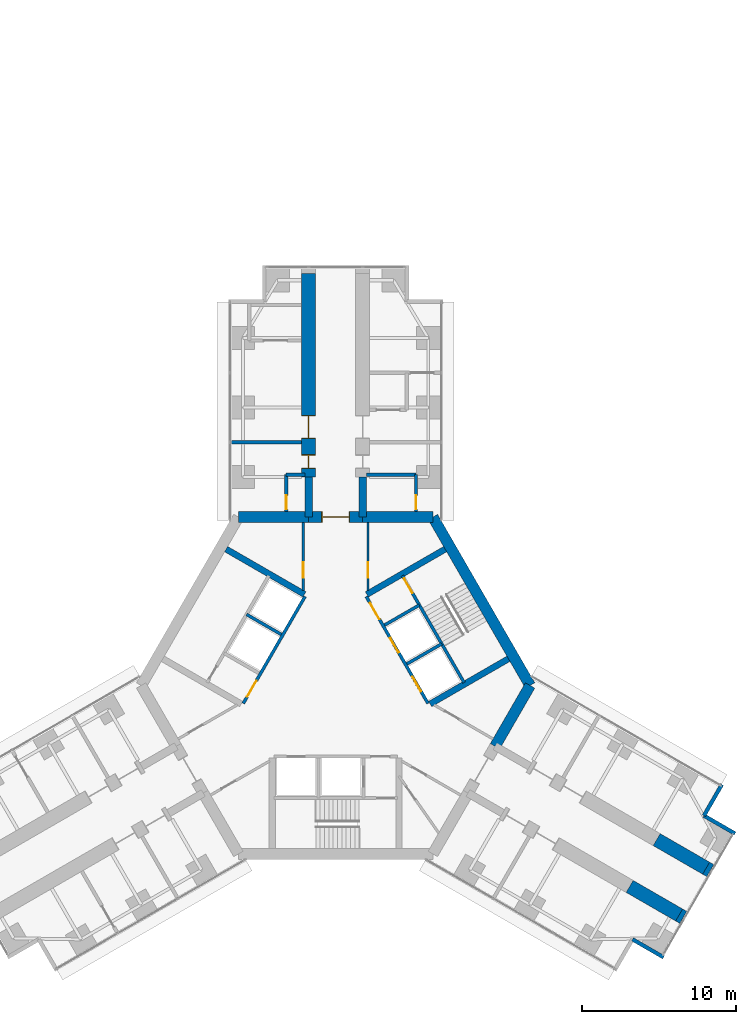
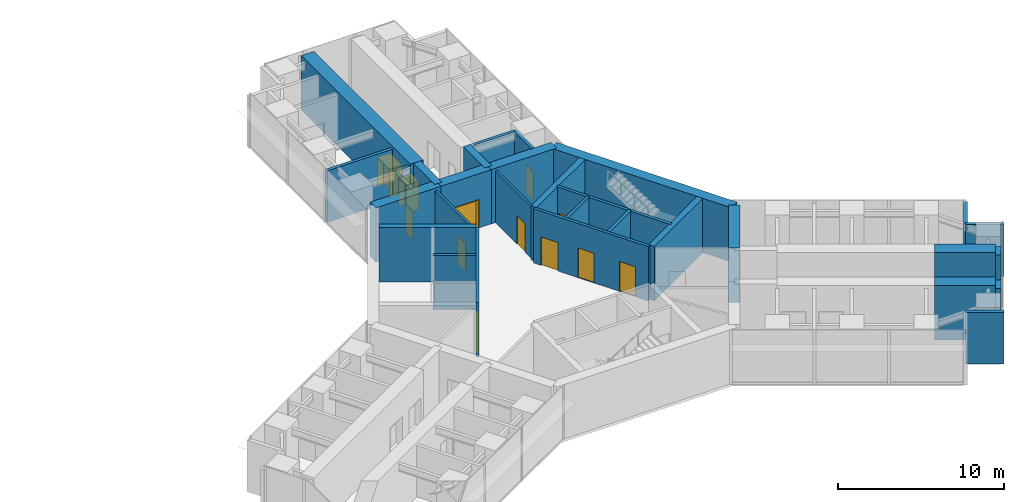
# One storey, part 20 of 22: 31 walls, 12 doors, 12 openings.
"""IFC4 building model written with IfcOpenShell, lengths in metres."""

from ifc_helpers import new_model, si_unit, direction, frame, frame_2d, origin, place, context, subcontext, project, spatial, rectangle, extrude, material, layer, layer_set, type_object, element, fill, save


model = new_model("IFC4")

# Units and contexts
model_context = context("Model", 3, precision=1e-05, world=origin(), true_north=direction((0.0, 1.0)))
body_context = subcontext(model_context, "Body", "Model", "MODEL_VIEW")
ifc_project = project(units=[si_unit("LENGTHUNIT", "METRE"), si_unit("AREAUNIT", "SQUARE_METRE"), si_unit("VOLUMEUNIT", "CUBIC_METRE"), si_unit("PLANEANGLEUNIT", "RADIAN"), si_unit("MASSUNIT", "GRAM", prefix="KILO")], contexts=[model_context])

# Site, building, storey
site_placement = place(None, origin())
site = spatial("IfcSite", under=ifc_project, at=site_placement, CompositionType="ELEMENT")
building_placement = place(site_placement, origin())
building = spatial("IfcBuilding", under=site, at=building_placement, Name="Upepo Twin Towers", CompositionType="ELEMENT")
storey_placement = place(building_placement, frame((0.0, 0.0, 36.5)))
storey = spatial("IfcBuildingStorey", under=building, at=storey_placement, Name="L08", CompositionType="ELEMENT", Elevation=36.5)

# Wall
ifc_material_1 = material(Name="Concrete blockwork, plastered both faces", Category="masonry")
ifc_layer_1 = layer(ifc_material_1, 0.215087890625)
ifc_layer_set_1 = layer_set([ifc_layer_1], Name="Blockwork partition 215")
wall_type_1 = type_object("IfcWallType", Name="Blockwork partition 215", PredefinedType="PARTITIONING", material=ifc_layer_set_1)
wall_1_placement = place(storey_placement, frame((56.300048828125, -2.25, 0.0), z_axis=(0.0, 0.0, 1.0), x_axis=(-1.0, 0.0, 0.0)))
element("IfcWall", 1, at=wall_1_placement, inside=storey, type_object=wall_type_1, Name="T2 partition AL at 15.75", PredefinedType="PARTITIONING", context=body_context, shape_type="SweptSolid", body=[
    extrude(rectangle(XDim=4.550048828125, YDim=0.215087890625, at=frame_2d((2.27490234375, 0.0))), origin(), (0.0, 0.0, 1.0), 3.800048828125),
])

# Wall, opening, door
wall_2_placement = place(storey_placement, frame((55.300048828125, -6.741943359375, 0.0), z_axis=(0.0, 0.0, 1.0), x_axis=(0.0, 1.0, 0.0)))
wall_2 = element("IfcWall", 2, at=wall_2_placement, inside=storey, type_object=wall_type_1, Name="T2 WC bay partition AL at 11.26", PredefinedType="PARTITIONING", context=body_context, shape_type="SweptSolid", body=[
    extrude(rectangle(XDim=2.39990234375, YDim=0.215087890625, at=frame_2d((1.199951171875, 0.0))), origin(), (0.0, 0.0, 1.0), 3.800048828125),
])
opening_1_placement = place(wall_2_placement, frame((0.14990234375, 0.0, 0.0)))
opening_1 = element("IfcOpeningElement", 3, at=opening_1_placement, cuts=wall_2, Name="Opening D14", PredefinedType="OPENING", context=body_context, shape_type="SweptSolid", body=[
    extrude(rectangle(XDim=0.89990234375, YDim=2.10009765625, at=frame_2d((0.449951171875, 1.050048828125))), frame((0.0, 0.117431640625, 0.0), z_axis=(0.0, -1.0, 0.0), x_axis=(1.0, 0.0, 0.0)), (0.0, 0.0, 1.0), 0.235107421875),
])
ifc_material_2 = material(Name="Timber doorset", Category="wood")
door_type_1 = type_object("IfcDoorType", Name="Office door 900 FD30", OperationType="SINGLE_SWING_LEFT", PredefinedType="DOOR", material=ifc_material_2)
door_1_placement = place(opening_1_placement, origin())
door_1 = element("IfcDoor", 4, at=door_1_placement, inside=storey, type_object=door_type_1, Name="T2 L08 WC bay inner room door", OperationType="SINGLE_SWING_LEFT", OverallHeight=2.10009765625, OverallWidth=0.89990234375, PredefinedType="DOOR", context=body_context, shape_type="SweptSolid", body=[
    extrude(rectangle(XDim=0.89990234375, YDim=2.10009765625, at=frame_2d((0.449951171875, 1.050048828125))), frame((0.0, 0.02490234375, 0.0), z_axis=(0.0, -1.0, 0.0), x_axis=(1.0, 0.0, 0.0)), (0.0, 0.0, 1.0), 0.050048828125),
])
fill(opening_1, door_1)

# Wall
wall_3_placement = place(storey_placement, frame((56.5, -4.342041015625, 0.0), z_axis=(0.0, 0.0, 1.0), x_axis=(-1.0, 0.0, 0.0)))
element("IfcWall", 5, at=wall_3_placement, inside=storey, type_object=wall_type_1, Name="T2 WC bay partition AL end at 13.66", PredefinedType="PARTITIONING", context=body_context, shape_type="SweptSolid", body=[
    extrude(rectangle(XDim=1.199951171875, YDim=0.215087890625, at=frame_2d((0.60009765625, 0.0))), origin(), (0.0, 0.0, 1.0), 3.800048828125),
])

# Wall, opening, door
wall_4_placement = place(storey_placement, frame((63.699951171875, -6.741943359375, 0.0), z_axis=(0.0, 0.0, 1.0), x_axis=(0.0, 1.0, 0.0)))
wall_4 = element("IfcWall", 6, at=wall_4_placement, inside=storey, type_object=wall_type_1, Name="T2 WC bay partition AR at 11.26", PredefinedType="PARTITIONING", context=body_context, shape_type="SweptSolid", body=[
    extrude(rectangle(XDim=2.39990234375, YDim=0.215087890625, at=frame_2d((1.199951171875, 0.0))), origin(), (0.0, 0.0, 1.0), 3.800048828125),
])
opening_2_placement = place(wall_4_placement, frame((0.14990234375, 0.0, 0.0)))
opening_2 = element("IfcOpeningElement", 7, at=opening_2_placement, cuts=wall_4, Name="Opening D14", PredefinedType="OPENING", context=body_context, shape_type="SweptSolid", body=[
    extrude(rectangle(XDim=0.89990234375, YDim=2.10009765625, at=frame_2d((0.449951171875, 1.050048828125))), frame((0.0, 0.117431640625, 0.0), z_axis=(0.0, -1.0, 0.0), x_axis=(1.0, 0.0, 0.0)), (0.0, 0.0, 1.0), 0.235107421875),
])
door_2_placement = place(opening_2_placement, origin())
door_2 = element("IfcDoor", 8, at=door_2_placement, inside=storey, type_object=door_type_1, Name="T2 L08 WC bay inner room door", OperationType="SINGLE_SWING_LEFT", OverallHeight=2.10009765625, OverallWidth=0.89990234375, PredefinedType="DOOR", context=body_context, shape_type="SweptSolid", body=[
    extrude(rectangle(XDim=0.89990234375, YDim=2.10009765625, at=frame_2d((0.449951171875, 1.050048828125))), frame((0.0, 0.02490234375, 0.0), z_axis=(0.0, -1.0, 0.0), x_axis=(1.0, 0.0, 0.0)), (0.0, 0.0, 1.0), 0.050048828125),
])
fill(opening_2, door_2)

# Walls
wall_5_placement = place(storey_placement, frame((60.5, -4.342041015625, 0.0), z_axis=(0.0, 0.0, 1.0), x_axis=(1.0, 0.0, 0.0)))
element("IfcWall", 9, at=wall_5_placement, inside=storey, type_object=wall_type_1, Name="T2 WC bay partition AR end at 13.66", PredefinedType="PARTITIONING", context=body_context, shape_type="SweptSolid", body=[
    extrude(rectangle(XDim=3.199951171875, YDim=0.215087890625, at=frame_2d((1.60009765625, 0.0))), origin(), (0.0, 0.0, 1.0), 3.800048828125),
])
ifc_material_3 = material(Name="Dense concrete blockwork", Category="masonry")
ifc_layer_2 = layer(ifc_material_3, 0.89990234375)
ifc_layer_set_2 = layer_set([ifc_layer_2], Name="Buttress closer 900, blockwork with fire-stopping to the curtain wall")
wall_type_2 = type_object("IfcWallType", Name="Buttress closer 900, blockwork with fire-stopping to the curtain wall", PredefinedType="PARTITIONING", material=ifc_layer_set_2)
for number, where, z_axis, x_axis, name in (
    (10, (82.497802734375, -29.83447265625, 0.0), (0.0, 0.0, 1.0), (0.866054481515, -0.499949632511, 0.0), "T2 L08 wing C buttress closer L"),
    (11, (80.747802734375, -32.865478515625, 0.0), (0.0, 0.0, 1.0), (0.866054481515, -0.499949632511, 0.0), "T2 L08 wing C buttress closer R"),
):
    element("IfcWall", number, at=place(storey_placement, frame(where, z_axis=z_axis, x_axis=x_axis)), inside=storey, type_object=wall_type_2, Name=name, PredefinedType="PARTITIONING", context=body_context, shape_type="SweptSolid", body=[
        extrude(rectangle(XDim=0.31005859375, YDim=0.89990234375, at=frame_2d((0.155029296875, 0.0))), origin(), (0.0, 0.0, 1.0), 3.800048828125),
    ])
ifc_material_4 = material(Name="Concrete C60/75", Category="concrete")
ifc_layer_3 = layer(ifc_material_4, 0.5)
ifc_layer_set_3 = layer_set([ifc_layer_3], Name="Concrete C60/75")
wall_type_3 = type_object("IfcWallType", Name="Buttress wall 500 RC", PredefinedType="SHEAR", material=ifc_layer_set_3)
for number, where, z_axis, x_axis, name in (
    (12, (56.75, -7.091552734375, 0.0), (0.0, 0.0, 1.0), (0.0, 1.0, 0.0), "T2 wing A buttress wall L"),
    (13, (60.25, -7.091552734375, 0.0), (0.0, 0.0, 1.0), (0.0, 1.0, 0.0), "T2 wing A buttress wall R"),
):
    element("IfcWall", number, at=place(storey_placement, frame(where, z_axis=z_axis, x_axis=x_axis)), inside=storey, type_object=wall_type_3, Name=name, PredefinedType="SHEAR", context=body_context, shape_type="SweptSolid", body=[
        extrude(rectangle(XDim=2.591552734375, YDim=0.5, at=frame_2d((1.2958984375, 0.0))), origin(), (0.0, 0.0, 1.0), 4.0),
    ])

# Wall, openings, doors
ifc_material_5 = material(Name="Concrete C60/75", Category="concrete")
ifc_layer_4 = layer(ifc_material_5, 0.89990234375)
ifc_layer_set_4 = layer_set([ifc_layer_4], Name="Concrete C60/75")
wall_type_4 = type_object("IfcWallType", Name="Buttress wall 900 RC", PredefinedType="SHEAR", material=ifc_layer_set_4)
wall_6_placement = place(storey_placement, frame((56.75, -4.5, 0.0), z_axis=(0.0, 0.0, 1.0), x_axis=(0.0, 1.0, 0.0)))
wall_6 = element("IfcWall", 14, at=wall_6_placement, inside=storey, type_object=wall_type_4, Name="T2 wing A buttress wall L part 2", PredefinedType="SHEAR", context=body_context, shape_type="SweptSolid", body=[
    extrude(rectangle(XDim=13.199951171875, YDim=0.89990234375, at=frame_2d((6.60009765625, 0.0))), origin(), (0.0, 0.0, 1.0), 4.0),
])
opening_3_placement = place(wall_6_placement, frame((0.550048828125, 0.0, 0.0)))
opening_3 = element("IfcOpeningElement", 15, at=opening_3_placement, cuts=wall_6, Name="Opening D11", PredefinedType="OPENING", context=body_context, shape_type="SweptSolid", body=[
    extrude(rectangle(XDim=0.89990234375, YDim=2.10009765625, at=frame_2d((0.449951171875, 1.050048828125))), frame((0.0, 0.4599609375, 0.0), z_axis=(0.0, -1.0, 0.0), x_axis=(1.0, 0.0, 0.0)), (0.0, 0.0, 1.0), 0.919921875),
])
opening_4_placement = place(wall_6_placement, frame((2.5, 0.0, 0.0)))
opening_4 = element("IfcOpeningElement", 16, at=opening_4_placement, cuts=wall_6, Name="Opening D13", PredefinedType="OPENING", context=body_context, shape_type="SweptSolid", body=[
    extrude(rectangle(XDim=1.5, YDim=2.10009765625, at=frame_2d((0.75, 1.050048828125))), frame((0.0, 0.4599609375, 0.0), z_axis=(0.0, -1.0, 0.0), x_axis=(1.0, 0.0, 0.0)), (0.0, 0.0, 1.0), 0.919921875),
])
ifc_material_6 = material(Name="Timber doorset", Category="wood")
door_type_2 = type_object("IfcDoorType", Name="Double door 1500 FD30", OperationType="DOUBLE_DOOR_SINGLE_SWING", PredefinedType="DOOR", material=ifc_material_6)
door_3_placement = place(opening_4_placement, origin())
door_3 = element("IfcDoor", 17, at=door_3_placement, inside=storey, type_object=door_type_2, Name="T2 L08 lecture room door", OperationType="DOUBLE_DOOR_SINGLE_SWING", OverallHeight=2.10009765625, OverallWidth=1.5, PredefinedType="DOOR", context=body_context, shape_type="SweptSolid", body=[
    extrude(rectangle(XDim=1.42, YDim=2.06009765625, at=frame_2d((0.75, 1.030029296875))), frame((0.0, 0.02490234375, 0.0), z_axis=(0.0, -1.0, 0.0), x_axis=(1.0, 0.0, 0.0)), (0.0, 0.0, 1.0), 0.050048828125),
    extrude(rectangle(XDim=0.04, YDim=2.10009765625, at=frame_2d((0.02001953125, 1.050048828125))), frame((0.0, 0.44970703125, 0.0), z_axis=(0.0, -1.0, 0.0), x_axis=(1.0, 0.0, 0.0)), (0.0, 0.0, 1.0), 0.8994140625),
    extrude(rectangle(XDim=0.04, YDim=2.10009765625, at=frame_2d((1.47998046875, 1.050048828125))), frame((0.0, 0.44970703125, 0.0), z_axis=(0.0, -1.0, 0.0), x_axis=(1.0, 0.0, 0.0)), (0.0, 0.0, 1.0), 0.8994140625),
    extrude(rectangle(XDim=1.42, YDim=0.04, at=frame_2d((0.75, 2.080078125))), frame((0.0, 0.44970703125, 0.0), z_axis=(0.0, -1.0, 0.0), x_axis=(1.0, 0.0, 0.0)), (0.0, 0.0, 1.0), 0.8994140625),
])
fill(opening_4, door_3)
ifc_material_7 = material(Name="Timber doorset", Category="wood")
door_type_3 = type_object("IfcDoorType", Name="Toilet door 900", OperationType="SINGLE_SWING_LEFT", PredefinedType="DOOR", material=ifc_material_7)
door_4_placement = place(opening_3_placement, origin())
door_4 = element("IfcDoor", 18, at=door_4_placement, inside=storey, type_object=door_type_3, Name="T2 L08 toilets door", OperationType="SINGLE_SWING_LEFT", OverallHeight=2.10009765625, OverallWidth=0.89990234375, PredefinedType="DOOR", context=body_context, shape_type="SweptSolid", body=[
    extrude(rectangle(XDim=0.81990234375, YDim=2.06009765625, at=frame_2d((0.449951171875, 1.030029296875))), frame((0.0, 0.02490234375, 0.0), z_axis=(0.0, -1.0, 0.0), x_axis=(1.0, 0.0, 0.0)), (0.0, 0.0, 1.0), 0.050048828125),
    extrude(rectangle(XDim=0.04, YDim=2.10009765625, at=frame_2d((0.02001953125, 1.050048828125))), frame((0.0, 0.44970703125, 0.0), z_axis=(0.0, -1.0, 0.0), x_axis=(1.0, 0.0, 0.0)), (0.0, 0.0, 1.0), 0.8994140625),
    extrude(rectangle(XDim=0.04, YDim=2.10009765625, at=frame_2d((0.8798828125, 1.050048828125))), frame((0.0, 0.44970703125, 0.0), z_axis=(0.0, -1.0, 0.0), x_axis=(1.0, 0.0, 0.0)), (0.0, 0.0, 1.0), 0.8994140625),
    extrude(rectangle(XDim=0.81990234375, YDim=0.04, at=frame_2d((0.449951171875, 2.080078125))), frame((0.0, 0.44970703125, 0.0), z_axis=(0.0, -1.0, 0.0), x_axis=(1.0, 0.0, 0.0)), (0.0, 0.0, 1.0), 0.8994140625),
])
fill(opening_3, door_4)

# Walls
wall_7_placement = place(storey_placement, frame((79.293701171875, -27.984375, 0.0), z_axis=(0.0, 0.0, 1.0), x_axis=(0.866000971088, -0.500042316284, 0.0)))
element("IfcWall", 19, at=wall_7_placement, inside=storey, type_object=wall_type_4, Name="T2 wing C buttress wall L part 3", PredefinedType="SHEAR", context=body_context, shape_type="SweptSolid", body=[
    extrude(rectangle(XDim=3.699951171875, YDim=0.89990234375, at=frame_2d((1.85009765625, 0.0))), origin(), (0.0, 0.0, 1.0), 4.0),
])
wall_8_placement = place(storey_placement, frame((77.543701171875, -31.015625, 0.0), z_axis=(0.0, 0.0, 1.0), x_axis=(0.866029545028, -0.499992827086, 0.0)))
element("IfcWall", 20, at=wall_8_placement, inside=storey, type_object=wall_type_4, Name="T2 wing C buttress wall R part 3", PredefinedType="SHEAR", context=body_context, shape_type="SweptSolid", body=[
    extrude(rectangle(XDim=3.69970703125, YDim=0.89990234375, at=frame_2d((1.849853515625, 0.0))), origin(), (0.0, 0.0, 1.0), 4.0),
])
ifc_material_8 = material(Name="Concrete C60/75", Category="concrete")
ifc_layer_5 = layer(ifc_material_8, 0.699951171875)
ifc_layer_set_5 = layer_set([ifc_layer_5], Name="Concrete C60/75")
wall_type_5 = type_object("IfcWallType", Name="Core wall 700 RC", PredefinedType="SHEAR", material=ifc_layer_set_5)
wall_9_placement = place(storey_placement, frame((64.7978515625, -7.091552734375, 0.0), z_axis=(0.0, 0.0, 1.0), x_axis=(-1.0, 0.0, 0.0)))
element("IfcWall", 21, at=wall_9_placement, inside=storey, type_object=wall_type_5, Name="T2 core wall 000 R", PredefinedType="SHEAR", context=body_context, shape_type="SweptSolid", body=[
    extrude(rectangle(XDim=4.5478515625, YDim=0.699951171875, at=frame_2d((2.27392578125, 0.0))), origin(), (0.0, 0.0, 1.0), 4.0),
])

# Wall, opening, door
wall_10_placement = place(storey_placement, frame((60.25, -7.091552734375, 0.0), z_axis=(0.0, 0.0, 1.0), x_axis=(-1.0, 0.0, 0.0)))
wall_10 = element("IfcWall", 22, at=wall_10_placement, inside=storey, type_object=wall_type_5, Name="T2 core wall 000", PredefinedType="SHEAR", context=body_context, shape_type="SweptSolid", body=[
    extrude(rectangle(XDim=3.5, YDim=0.699951171875, at=frame_2d((1.75, 0.0))), origin(), (0.0, 0.0, 1.0), 4.0),
])
opening_5_placement = place(wall_10_placement, frame((0.85009765625, 0.0, 0.0)))
opening_5 = element("IfcOpeningElement", 23, at=opening_5_placement, cuts=wall_10, Name="Opening D2", PredefinedType="OPENING", context=body_context, shape_type="SweptSolid", body=[
    extrude(rectangle(XDim=1.800048828125, YDim=2.10009765625, at=frame_2d((0.89990234375, 1.050048828125))), frame((0.0, 0.35986328125, 0.0), z_axis=(0.0, -1.0, 0.0), x_axis=(1.0, 0.0, 0.0)), (0.0, 0.0, 1.0), 0.719970703125),
])
ifc_material_9 = material(Name="Timber doorset", Category="wood")
door_type_4 = type_object("IfcDoorType", Name="Corridor double door 1800 FD60", OperationType="DOUBLE_DOOR_DOUBLE_SWING", PredefinedType="DOOR", material=ifc_material_9)
door_5_placement = place(opening_5_placement, origin())
door_5 = element("IfcDoor", 24, at=door_5_placement, inside=storey, type_object=door_type_4, Name="T2 L08 wing A corridor door", OperationType="DOUBLE_DOOR_DOUBLE_SWING", OverallHeight=2.10009765625, OverallWidth=1.800048828125, PredefinedType="DOOR", context=body_context, shape_type="SweptSolid", body=[
    extrude(rectangle(XDim=1.720048828125, YDim=2.06009765625, at=frame_2d((0.89990234375, 1.030029296875))), frame((0.0, 0.02490234375, 0.0), z_axis=(0.0, -1.0, 0.0), x_axis=(1.0, 0.0, 0.0)), (0.0, 0.0, 1.0), 0.050048828125),
    extrude(rectangle(XDim=0.04, YDim=2.10009765625, at=frame_2d((0.02001953125, 1.050048828125))), frame((0.0, 0.349609375, 0.0), z_axis=(0.0, -1.0, 0.0), x_axis=(1.0, 0.0, 0.0)), (0.0, 0.0, 1.0), 0.699462890625),
    extrude(rectangle(XDim=0.04, YDim=2.10009765625, at=frame_2d((1.780029296875, 1.050048828125))), frame((0.0, 0.349609375, 0.0), z_axis=(0.0, -1.0, 0.0), x_axis=(1.0, 0.0, 0.0)), (0.0, 0.0, 1.0), 0.699462890625),
    extrude(rectangle(XDim=1.720048828125, YDim=0.04, at=frame_2d((0.89990234375, 2.080078125))), frame((0.0, 0.349609375, 0.0), z_axis=(0.0, -1.0, 0.0), x_axis=(1.0, 0.0, 0.0)), (0.0, 0.0, 1.0), 0.699462890625),
])
fill(opening_5, door_5)

# Walls
wall_11_placement = place(storey_placement, frame((56.75, -7.091552734375, 0.0), z_axis=(0.0, 0.0, 1.0), x_axis=(-1.0, 0.0, 0.0)))
element("IfcWall", 25, at=wall_11_placement, inside=storey, type_object=wall_type_5, Name="T2 core wall 000 L", PredefinedType="SHEAR", context=body_context, shape_type="SweptSolid", body=[
    extrude(rectangle(XDim=4.5478515625, YDim=0.699951171875, at=frame_2d((2.27392578125, 0.0))), origin(), (0.0, 0.0, 1.0), 4.0),
])
wall_12_placement = place(storey_placement, frame((68.82177734375, -21.938720703125, 0.0), z_axis=(0.0, 0.0, 1.0), x_axis=(0.500024481964, 0.866011268655, 0.0)))
element("IfcWall", 26, at=wall_12_placement, inside=storey, type_object=wall_type_5, Name="T2 core wall 240 L", PredefinedType="SHEAR", context=body_context, shape_type="SweptSolid", body=[
    extrude(rectangle(XDim=4.548095703125, YDim=0.699951171875, at=frame_2d((2.27392578125, 0.0))), origin(), (0.0, 0.0, 1.0), 4.0),
])
wall_13_placement = place(storey_placement, frame((71.095947265625, -18.0, 0.0), z_axis=(0.0, 0.0, 1.0), x_axis=(-0.500005998175, 0.866021940709, 0.0)))
element("IfcWall", 27, at=wall_13_placement, inside=storey, type_object=wall_type_5, Name="T2 core wall 300", PredefinedType="SHEAR", context=body_context, shape_type="SweptSolid", body=[
    extrude(rectangle(XDim=12.595947265625, YDim=0.699951171875, at=frame_2d((6.2978515625, 0.0))), origin(), (0.0, 0.0, 1.0), 4.0),
])
ifc_material_10 = material(Name="Blockwork with anodised aluminium cladding", Category="masonry")
ifc_layer_6 = layer(ifc_material_10, 0.25)
ifc_layer_set_6 = layer_set([ifc_layer_6], Name="Notch cladding wall 250, pale metal")
wall_type_6 = type_object("IfcWallType", Name="Notch cladding wall 250, pale metal", PredefinedType="STANDARD", material=ifc_layer_set_6)
for number, where, z_axis, x_axis, name in (
    (28, (83.517333984375, -24.418701171875, 0.0), (0.0, 0.0, 1.0), (-0.499967891604, -0.866043940782, 0.0), "T2 L08 wing C notch wall L1"),
    (29, (82.35498046875, -26.43212890625, 0.0), (0.0, 0.0, 1.0), (0.865998469481, -0.500046648681, 0.0), "T2 L08 wing C notch wall L2"),
    (30, (77.72998046875, -34.44287109375, 0.0), (0.0, 0.0, 1.0), (0.865998469481, -0.500046648681, 0.0), "T2 L08 wing C notch wall R2"),
):
    element("IfcWall", number, at=place(storey_placement, frame(where, z_axis=z_axis, x_axis=x_axis)), inside=storey, type_object=wall_type_6, Name=name, PredefinedType="STANDARD", context=body_context, shape_type="SweptSolid", body=[
        extrude(rectangle(XDim=2.324951171875, YDim=0.25, at=frame_2d((1.16259765625, 0.0))), origin(), (0.0, 0.0, 1.0), 3.800048828125),
    ])

# Wall, opening, door
ifc_material_11 = material(Name="Concrete C40/50", Category="concrete")
ifc_layer_7 = layer(ifc_material_11, 0.199951171875)
ifc_layer_set_7 = layer_set([ifc_layer_7], Name="Concrete C40/50")
wall_type_7 = type_object("IfcWallType", Name="Shaft wall 200 RC", PredefinedType="SHEAR", material=ifc_layer_set_7)
wall_14_placement = place(storey_placement, frame((56.516357421875, -12.23583984375, 0.0), z_axis=(0.0, 0.0, 1.0), x_axis=(-0.49999894854, -0.866026010844, 0.0)))
wall_14 = element("IfcWall", 31, at=wall_14_placement, inside=storey, type_object=wall_type_7, Name="T2 core W60 front wall", PredefinedType="SHEAR", context=body_context, shape_type="SweptSolid", body=[
    extrude(rectangle(XDim=8.0, YDim=0.199951171875, at=frame_2d((4.0, 0.0))), origin(), (0.0, 0.0, 1.0), 4.0),
])
opening_6_placement = place(wall_14_placement, frame((6.300048828125, 0.0, 0.0)))
opening_6 = element("IfcOpeningElement", 32, at=opening_6_placement, cuts=wall_14, Name="Opening D4", PredefinedType="OPENING", context=body_context, shape_type="SweptSolid", body=[
    extrude(rectangle(XDim=1.199951171875, YDim=2.10009765625, at=frame_2d((0.60009765625, 1.050048828125))), frame((0.0, 0.10986328125, 0.0), z_axis=(0.0, -1.0, 0.0), x_axis=(1.0, 0.0, 0.0)), (0.0, 0.0, 1.0), 0.219970703125),
])
ifc_material_12 = material(Name="Timber doorset", Category="wood")
door_type_5 = type_object("IfcDoorType", Name="Lobby door 1200 FD60", OperationType="SINGLE_SWING_LEFT", PredefinedType="DOOR", material=ifc_material_12)
door_6_placement = place(opening_6_placement, origin())
door_6 = element("IfcDoor", 33, at=door_6_placement, inside=storey, type_object=door_type_5, Name="T2 L08 W60 lobby door", OperationType="SINGLE_SWING_RIGHT", OverallHeight=2.10009765625, OverallWidth=1.199951171875, PredefinedType="DOOR", context=body_context, shape_type="SweptSolid", body=[
    extrude(rectangle(XDim=1.199951171875, YDim=2.10009765625, at=frame_2d((0.60009765625, 1.050048828125))), frame((0.0, 0.02490234375, 0.0), z_axis=(0.0, -1.0, 0.0), x_axis=(1.0, 0.0, 0.0)), (0.0, 0.0, 1.0), 0.050048828125),
])
fill(opening_6, door_6)

# Wall
wall_15_placement = place(storey_placement, frame((54.979736328125, -14.697265625, 0.0), z_axis=(0.0, 0.0, 1.0), x_axis=(-0.866062058628, 0.499936506574, 0.0)))
element("IfcWall", 34, at=wall_15_placement, inside=storey, type_object=wall_type_7, Name="T2 core W60 shaft divider", PredefinedType="SHEAR", context=body_context, shape_type="SweptSolid", body=[
    extrude(rectangle(XDim=2.599853515625, YDim=0.199951171875, at=frame_2d((1.2998046875, 0.0))), origin(), (0.0, 0.0, 1.0), 4.0),
])

# Wall, openings, doors
wall_16_placement = place(storey_placement, frame((64.483642578125, -19.1640625, 0.0), z_axis=(0.0, 0.0, 1.0), x_axis=(-0.49999894854, 0.866026010844, 0.0)))
wall_16 = element("IfcWall", 35, at=wall_16_placement, inside=storey, type_object=wall_type_7, Name="T2 core W300 front wall", PredefinedType="SHEAR", context=body_context, shape_type="SweptSolid", body=[
    extrude(rectangle(XDim=8.0, YDim=0.199951171875, at=frame_2d((4.0, 0.0))), origin(), (0.0, 0.0, 1.0), 4.0),
])
opening_7_placement = place(wall_16_placement, frame((6.300048828125, 0.0, 0.0)))
opening_7 = element("IfcOpeningElement", 36, at=opening_7_placement, cuts=wall_16, Name="Opening D4", PredefinedType="OPENING", context=body_context, shape_type="SweptSolid", body=[
    extrude(rectangle(XDim=1.199951171875, YDim=2.10009765625, at=frame_2d((0.60009765625, 1.050048828125))), frame((0.0, 0.10986328125, 0.0), z_axis=(0.0, -1.0, 0.0), x_axis=(1.0, 0.0, 0.0)), (0.0, 0.0, 1.0), 0.219970703125),
])
opening_8_placement = place(wall_16_placement, frame((0.89990234375, 0.0, 0.0)))
opening_8 = element("IfcOpeningElement", 37, at=opening_8_placement, cuts=wall_16, Name="Opening LD1", PredefinedType="OPENING", context=body_context, shape_type="SweptSolid", body=[
    extrude(rectangle(XDim=1.10009765625, YDim=2.199951171875, at=frame_2d((0.550048828125, 1.10009765625))), frame((0.0, 0.10986328125, 0.0), z_axis=(0.0, -1.0, 0.0), x_axis=(1.0, 0.0, 0.0)), (0.0, 0.0, 1.0), 0.219970703125),
])
opening_9_placement = place(wall_16_placement, frame((3.800048828125, 0.0, 0.0)))
opening_9 = element("IfcOpeningElement", 38, at=opening_9_placement, cuts=wall_16, Name="Opening LD1", PredefinedType="OPENING", context=body_context, shape_type="SweptSolid", body=[
    extrude(rectangle(XDim=1.10009765625, YDim=2.199951171875, at=frame_2d((0.550048828125, 1.10009765625))), frame((0.0, 0.10986328125, 0.0), z_axis=(0.0, -1.0, 0.0), x_axis=(1.0, 0.0, 0.0)), (0.0, 0.0, 1.0), 0.219970703125),
])
ifc_material_13 = material(Name="Steel doorset", Category="steel")
door_type_6 = type_object("IfcDoorType", Name="Lift landing door 1100", OperationType="DOUBLE_DOOR_SLIDING", PredefinedType="DOOR", material=ifc_material_13)
door_7_placement = place(opening_8_placement, origin())
door_7 = element("IfcDoor", 39, at=door_7_placement, inside=storey, type_object=door_type_6, Name="T2 L08 lift LL1 landing door", OperationType="DOUBLE_DOOR_SLIDING", OverallHeight=2.199951171875, OverallWidth=1.10009765625, PredefinedType="DOOR", context=body_context, shape_type="SweptSolid", body=[
    extrude(rectangle(XDim=1.10009765625, YDim=2.199951171875, at=frame_2d((0.550048828125, 1.10009765625))), frame((0.0, 0.02490234375, 0.0), z_axis=(0.0, -1.0, 0.0), x_axis=(1.0, 0.0, 0.0)), (0.0, 0.0, 1.0), 0.050048828125),
])
fill(opening_8, door_7)
door_8_placement = place(opening_9_placement, origin())
door_8 = element("IfcDoor", 40, at=door_8_placement, inside=storey, type_object=door_type_6, Name="T2 L08 lift LL2 landing door", OperationType="DOUBLE_DOOR_SLIDING", OverallHeight=2.199951171875, OverallWidth=1.10009765625, PredefinedType="DOOR", context=body_context, shape_type="SweptSolid", body=[
    extrude(rectangle(XDim=1.10009765625, YDim=2.199951171875, at=frame_2d((0.550048828125, 1.10009765625))), frame((0.0, 0.02490234375, 0.0), z_axis=(0.0, -1.0, 0.0), x_axis=(1.0, 0.0, 0.0)), (0.0, 0.0, 1.0), 0.050048828125),
])
fill(opening_9, door_8)
door_9_placement = place(opening_7_placement, origin())
door_9 = element("IfcDoor", 41, at=door_9_placement, inside=storey, type_object=door_type_5, Name="T2 L08 W300 lobby door", OperationType="SINGLE_SWING_RIGHT", OverallHeight=2.10009765625, OverallWidth=1.199951171875, PredefinedType="DOOR", context=body_context, shape_type="SweptSolid", body=[
    extrude(rectangle(XDim=1.199951171875, YDim=2.10009765625, at=frame_2d((0.60009765625, 1.050048828125))), frame((0.0, 0.02490234375, 0.0), z_axis=(0.0, -1.0, 0.0), x_axis=(1.0, 0.0, 0.0)), (0.0, 0.0, 1.0), 0.050048828125),
])
fill(opening_7, door_9)

# Walls
wall_17_placement = place(storey_placement, frame((63.120361328125, -16.6025390625, 0.0), z_axis=(0.0, 0.0, 1.0), x_axis=(0.866062058628, 0.499936506574, 0.0)))
element("IfcWall", 42, at=wall_17_placement, inside=storey, type_object=wall_type_7, Name="T2 core W300 shaft divider", PredefinedType="SHEAR", context=body_context, shape_type="SweptSolid", body=[
    extrude(rectangle(XDim=2.599853515625, YDim=0.199951171875, at=frame_2d((1.2998046875, 0.0))), origin(), (0.0, 0.0, 1.0), 4.0),
])
wall_18_placement = place(storey_placement, frame((61.67041015625, -14.091064453125, 0.0), z_axis=(0.0, 0.0, 1.0), x_axis=(0.86603858612, 0.49997716683, 0.0)))
element("IfcWall", 43, at=wall_18_placement, inside=storey, type_object=wall_type_7, Name="T2 core W300 lobby wall", PredefinedType="SHEAR", context=body_context, shape_type="SweptSolid", body=[
    extrude(rectangle(XDim=2.599609375, YDim=0.199951171875, at=frame_2d((1.2998046875, 0.0))), origin(), (0.0, 0.0, 1.0), 4.0),
])

# Wall, opening, door
wall_19_placement = place(storey_placement, frame((66.822021484375, -17.814208984375, 0.0), z_axis=(0.0, 0.0, 1.0), x_axis=(-0.49999894854, 0.866026010844, 0.0)))
wall_19 = element("IfcWall", 44, at=wall_19_placement, inside=storey, type_object=wall_type_7, Name="T2 core W300 stair wall", PredefinedType="SHEAR", context=body_context, shape_type="SweptSolid", body=[
    extrude(rectangle(XDim=8.0, YDim=0.199951171875, at=frame_2d((4.0, 0.0))), origin(), (0.0, 0.0, 1.0), 4.0),
])
opening_10_placement = place(wall_19_placement, frame((6.699951171875, 0.0, 0.0)))
opening_10 = element("IfcOpeningElement", 45, at=opening_10_placement, cuts=wall_19, Name="Opening D3", PredefinedType="OPENING", context=body_context, shape_type="SweptSolid", body=[
    extrude(rectangle(XDim=1.10009765625, YDim=2.10009765625, at=frame_2d((0.550048828125, 1.050048828125))), frame((0.0, 0.10986328125, 0.0), z_axis=(0.0, -1.0, 0.0), x_axis=(1.0, 0.0, 0.0)), (0.0, 0.0, 1.0), 0.219970703125),
])
ifc_material_14 = material(Name="Timber doorset", Category="wood")
door_type_7 = type_object("IfcDoorType", Name="Stair door 1100 FD60", OperationType="SINGLE_SWING_LEFT", PredefinedType="DOOR", material=ifc_material_14)
door_10_placement = place(opening_10_placement, origin())
door_10 = element("IfcDoor", 46, at=door_10_placement, inside=storey, type_object=door_type_7, Name="T2 L08 stair door", OperationType="SINGLE_SWING_RIGHT", OverallHeight=2.10009765625, OverallWidth=1.10009765625, PredefinedType="DOOR", context=body_context, shape_type="SweptSolid", body=[
    extrude(rectangle(XDim=1.10009765625, YDim=2.10009765625, at=frame_2d((0.550048828125, 1.050048828125))), frame((0.0, 0.02490234375, 0.0), z_axis=(0.0, -1.0, 0.0), x_axis=(1.0, 0.0, 0.0)), (0.0, 0.0, 1.0), 0.050048828125),
])
fill(opening_10, door_10)

# Walls
ifc_material_15 = material(Name="Concrete C40/50", Category="concrete")
ifc_layer_8 = layer(ifc_material_15, 0.39990234375)
ifc_layer_set_8 = layer_set([ifc_layer_8], Name="Concrete C40/50")
wall_type_8 = type_object("IfcWallType", Name="Shaft wall 400 RC", PredefinedType="SHEAR", material=ifc_layer_set_8)
for number, where, z_axis, x_axis, name in (
    (47, (56.479736328125, -12.099365234375, 0.0), (0.0, 0.0, 1.0), (-0.866023886965, 0.500002627198, 0.0), "T2 core W60 side wall S"),
    (48, (60.520263671875, -12.099365234375, 0.0), (0.0, 0.0, 1.0), (0.866023886965, 0.500002627198, 0.0), "T2 core W300 side wall N"),
    (49, (64.620361328125, -19.20068359375, 0.0), (0.0, 0.0, 1.0), (0.866023886965, 0.500002627198, 0.0), "T2 core W300 side wall S"),
):
    element("IfcWall", number, at=place(storey_placement, frame(where, z_axis=z_axis, x_axis=x_axis)), inside=storey, type_object=wall_type_8, Name=name, PredefinedType="SHEAR", context=body_context, shape_type="SweptSolid", body=[
        extrude(rectangle(XDim=5.8583984375, YDim=0.39990234375, at=frame_2d((2.92919921875, 0.0))), origin(), (0.0, 0.0, 1.0), 4.0),
    ])

# Wall, opening, door
ifc_material_16 = material(Name="Gypsum board on steel studs", Category="steel")
ifc_layer_9 = layer(ifc_material_16, 0.14990234375)
ifc_layer_set_9 = layer_set([ifc_layer_9], Name="Teaching partition 150 acoustic")
wall_type_9 = type_object("IfcWallType", Name="Teaching partition 150 acoustic", PredefinedType="PARTITIONING", material=ifc_layer_set_9)
wall_20_placement = place(storey_placement, frame((56.39990234375, -11.857421875, 0.0), z_axis=(0.0, 0.0, 1.0), x_axis=(0.0, 1.0, 0.0)))
wall_20 = element("IfcWall", 50, at=wall_20_placement, inside=storey, type_object=wall_type_9, Name="T2 core room partition 2", PredefinedType="PARTITIONING", context=body_context, shape_type="SweptSolid", body=[
    extrude(rectangle(XDim=4.42578125, YDim=0.14990234375, at=frame_2d((2.212890625, 0.0))), origin(), (0.0, 0.0, 1.0), 3.800048828125),
])
opening_11_placement = place(wall_20_placement, frame((0.82763671875, 0.0, 0.0)))
opening_11 = element("IfcOpeningElement", 51, at=opening_11_placement, cuts=wall_20, Name="Opening D1", PredefinedType="OPENING", context=body_context, shape_type="SweptSolid", body=[
    extrude(rectangle(XDim=1.0, YDim=2.10009765625, at=frame_2d((0.5, 1.050048828125))), frame((0.0, 0.0849609375, 0.0), z_axis=(0.0, -1.0, 0.0), x_axis=(1.0, 0.0, 0.0)), (0.0, 0.0, 1.0), 0.169921875),
])
ifc_material_17 = material(Name="Timber doorset", Category="wood")
door_type_8 = type_object("IfcDoorType", Name="Room door 1000 FD30", OperationType="SINGLE_SWING_LEFT", PredefinedType="DOOR", material=ifc_material_17)
door_11_placement = place(opening_11_placement, origin())
door_11 = element("IfcDoor", 52, at=door_11_placement, inside=storey, type_object=door_type_8, Name="T2 L08 core room door K7", OperationType="SINGLE_SWING_LEFT", OverallHeight=2.10009765625, OverallWidth=1.0, PredefinedType="DOOR", context=body_context, shape_type="SweptSolid", body=[
    extrude(rectangle(XDim=1.0, YDim=2.10009765625, at=frame_2d((0.5, 1.050048828125))), frame((0.0, 0.02490234375, 0.0), z_axis=(0.0, -1.0, 0.0), x_axis=(1.0, 0.0, 0.0)), (0.0, 0.0, 1.0), 0.050048828125),
])
fill(opening_11, door_11)

wall_21_placement = place(storey_placement, frame((60.60009765625, -7.431640625, 0.0), z_axis=(0.0, 0.0, 1.0), x_axis=(0.0, -1.0, 0.0)))
wall_21 = element("IfcWall", 53, at=wall_21_placement, inside=storey, type_object=wall_type_9, Name="T2 core room partition 3", PredefinedType="PARTITIONING", context=body_context, shape_type="SweptSolid", body=[
    extrude(rectangle(XDim=4.42578125, YDim=0.14990234375, at=frame_2d((2.212890625, 0.0))), origin(), (0.0, 0.0, 1.0), 3.800048828125),
])
opening_12_placement = place(wall_21_placement, frame((2.597900390625, 0.0, 0.0)))
opening_12 = element("IfcOpeningElement", 54, at=opening_12_placement, cuts=wall_21, Name="Opening D1", PredefinedType="OPENING", context=body_context, shape_type="SweptSolid", body=[
    extrude(rectangle(XDim=1.0, YDim=2.10009765625, at=frame_2d((0.5, 1.050048828125))), frame((0.0, 0.0849609375, 0.0), z_axis=(0.0, -1.0, 0.0), x_axis=(1.0, 0.0, 0.0)), (0.0, 0.0, 1.0), 0.169921875),
])
door_12_placement = place(opening_12_placement, origin())
door_12 = element("IfcDoor", 55, at=door_12_placement, inside=storey, type_object=door_type_8, Name="T2 L08 core room door K6", OperationType="SINGLE_SWING_RIGHT", OverallHeight=2.10009765625, OverallWidth=1.0, PredefinedType="DOOR", context=body_context, shape_type="SweptSolid", body=[
    extrude(rectangle(XDim=1.0, YDim=2.10009765625, at=frame_2d((0.5, 1.050048828125))), frame((0.0, 0.02490234375, 0.0), z_axis=(0.0, -1.0, 0.0), x_axis=(1.0, 0.0, 0.0)), (0.0, 0.0, 1.0), 0.050048828125),
])
fill(opening_12, door_12)

save(model, "model.ifc")
